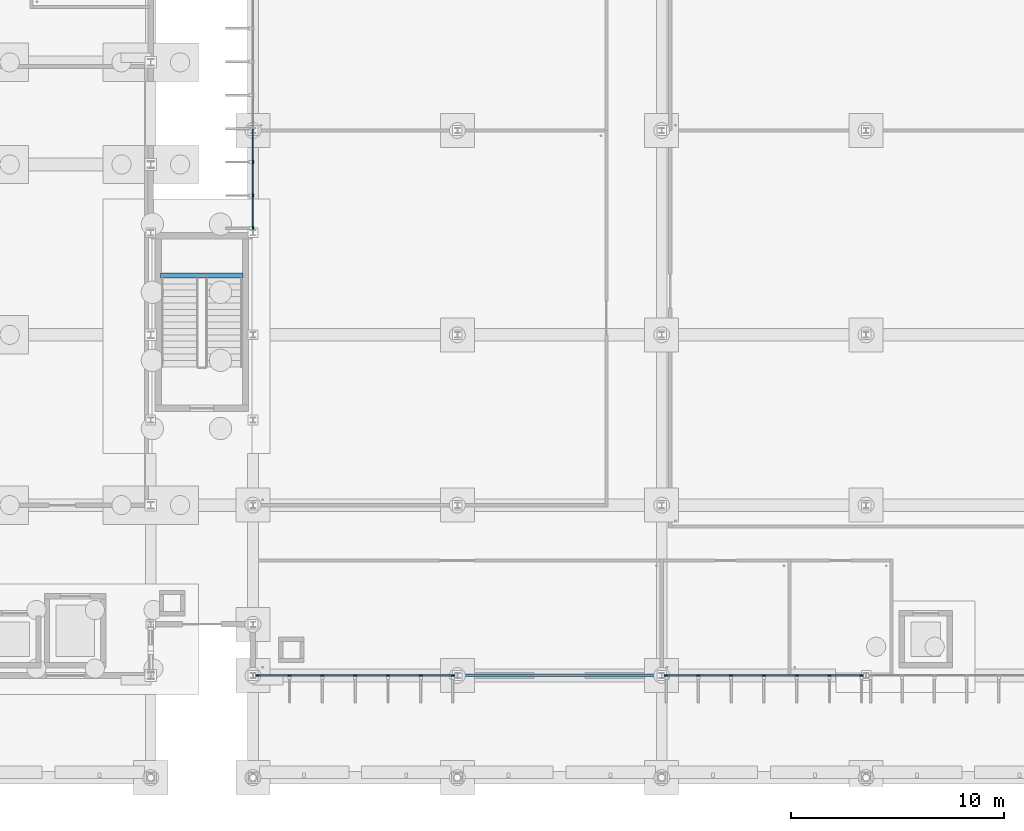
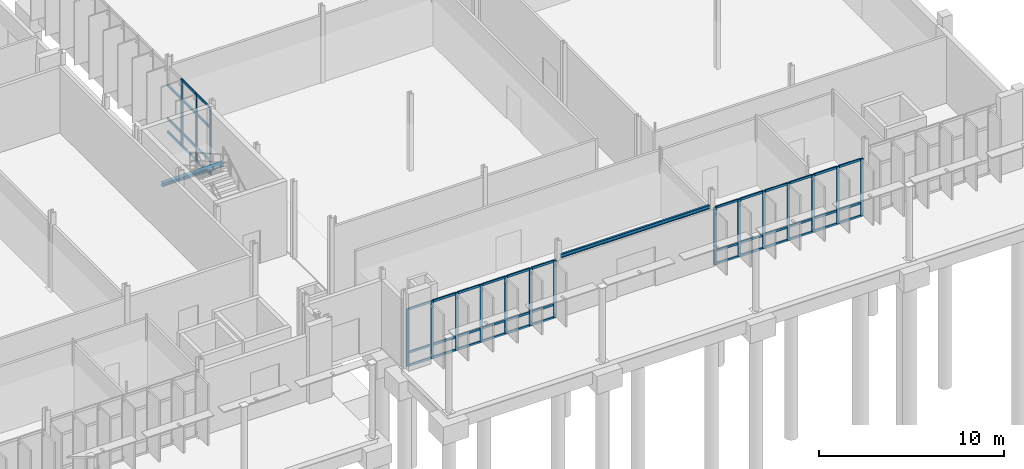
# One storey, part 36 of 111: 64 members, 2 beams, 3 elements without a shape of their own.
"""IFC4 building model written with IfcOpenShell, lengths in metres."""

import ifcopenshell
import ifcopenshell.guid

model = None  # the IFC model being written
_history = None  # IfcOwnerHistory: only IFC2X3 demands one
_inside = {}  # id of a spatial element -> (the spatial element, [elements in it])
_under = {}  # id of a project, library or spatial element -> (it, [spatial elements below it])
_declared = {}  # id of a project -> (the project, [libraries it declares])
_typed = {}  # id of a type object -> (the type object, [elements of that type])
_made_of = {}  # id of a material, layer set ... -> (it, [elements and type objects made of it])


def new_model(schema):
    """Start an empty IFC model of exactly this schema.

    Asked for "IFC4X3", IfcOpenShell would pick the latest addendum, in which some entities
    have other attributes; the version numbers below select the first issue.
    IFC2X3 requires an IfcOwnerHistory on every rooted entity: one is made here for all.
    """
    global model, _history
    if schema == "IFC4X3":
        model = ifcopenshell.file(schema_version=(4, 3, 0, 0))
    else:
        model = ifcopenshell.file(schema=schema)
    _inside.clear()
    _under.clear()
    _declared.clear()
    _typed.clear()
    _made_of.clear()
    _history = None
    if model.schema == "IFC2X3":
        org = make("IfcOrganization", Name="unknown")
        user = make(
            "IfcPersonAndOrganization",
            ThePerson=make("IfcPerson", FamilyName="unknown"),
            TheOrganization=org,
        )
        app = make(
            "IfcApplication",
            ApplicationDeveloper=org,
            Version="unknown",
            ApplicationFullName="unknown",
            ApplicationIdentifier="unknown",
        )
        _history = make(
            "IfcOwnerHistory",
            OwningUser=user,
            OwningApplication=app,
            ChangeAction="ADDED",
            CreationDate=0,
        )
    return model


def make(cls, **values):
    """One entity of the class cls with the attributes given. An attribute that is None is left unset."""
    return model.create_entity(
        cls, **{name: value for name, value in values.items() if value is not None}
    )


def rooted(cls, **values):
    """An entity with a GlobalId (a new one), such as an element, a storey or a relation."""
    return make(cls, GlobalId=ifcopenshell.guid.new(), OwnerHistory=_history, **values)


def si_unit(unit_type, name, prefix=None):
    """IfcSIUnit, for example si_unit("LENGTHUNIT", "METRE", prefix="MILLI")."""
    return make("IfcSIUnit", UnitType=unit_type, Prefix=prefix, Name=name)


def assignment(units):
    """IfcUnitAssignment: the units of a project."""
    return None if units is None else make("IfcUnitAssignment", Units=units)


def point(xyz):
    """IfcCartesianPoint."""
    return None if xyz is None else make("IfcCartesianPoint", Coordinates=xyz)


def direction(xyz):
    """IfcDirection."""
    return None if xyz is None else make("IfcDirection", DirectionRatios=xyz)


def frame(location, z_axis=None, x_axis=None):
    """IfcAxis2Placement3D, a coordinate frame: its origin and axes. An axis left out is left unset."""
    return make(
        "IfcAxis2Placement3D",
        Location=point(location),
        Axis=direction(z_axis),
        RefDirection=direction(x_axis),
    )


def frame_2d(location, x_axis=None):
    """IfcAxis2Placement2D, a coordinate frame in the plane: its origin and x axis."""
    return make(
        "IfcAxis2Placement2D", Location=point(location), RefDirection=direction(x_axis)
    )


def origin():
    """The frame at (0, 0, 0) with its axes left unset."""
    return frame((0.0, 0.0, 0.0))


def origin_2d():
    """The frame at (0, 0) in the plane with its x axis left unset."""
    return frame_2d((0.0, 0.0))


def place(relative_to, where):
    """IfcLocalPlacement: puts the frame where relative to a parent placement (None: the world)."""
    return make(
        "IfcLocalPlacement", PlacementRelTo=relative_to, RelativePlacement=where
    )


def context(
    kind, dimensions, precision=None, world=None, true_north=None, identifier=None
):
    """IfcGeometricRepresentationContext, for example the 3D "Model" context."""
    return make(
        "IfcGeometricRepresentationContext",
        ContextIdentifier=identifier,
        ContextType=kind,
        CoordinateSpaceDimension=dimensions,
        Precision=precision,
        WorldCoordinateSystem=world,
        TrueNorth=true_north,
    )


def subcontext(parent, identifier, kind, view, scale=None):
    """IfcGeometricRepresentationSubContext, for example "Body" below "Model"."""
    return make(
        "IfcGeometricRepresentationSubContext",
        ContextIdentifier=identifier,
        ContextType=kind,
        ParentContext=parent,
        TargetScale=scale,
        TargetView=view,
    )


def project(units=None, contexts=None):
    """IfcProject with its units and contexts."""
    return rooted(
        "IfcProject",
        Name="project",
        RepresentationContexts=contexts,
        UnitsInContext=assignment(units),
    )


def spatial(cls, under=None, at=None, **own):
    """A site, building, storey or space (cls), placed at a placement, below another one or the project."""
    s = rooted(cls, ObjectPlacement=at, **own)
    if under is not None:
        _under.setdefault(under.id(), (under, []))[1].append(s)
    return s


def profile(cls, at=None, kind="AREA", **sizes):
    """A parametric profile (cls). Its sizes go by their IFC names, for example OverallWidth=200.0."""
    return make(cls, ProfileType=kind, Position=at, **sizes)


def rectangle(**sizes):
    """IfcRectangleProfileDef."""
    return profile("IfcRectangleProfileDef", **sizes)


def i_section(**sizes):
    """IfcIShapeProfileDef."""
    return profile("IfcIShapeProfileDef", **sizes)


def extrude(swept, where, along, depth):
    """IfcExtrudedAreaSolid: the profile swept, set in the frame where, extruded along a direction by depth."""
    return make(
        "IfcExtrudedAreaSolid",
        SweptArea=swept,
        Position=where,
        ExtrudedDirection=direction(along),
        Depth=depth,
    )


def shape(context_of_items, identifier, shape_type, items):
    """IfcShapeRepresentation: the items that make up one representation, for example the "Body"."""
    return make(
        "IfcShapeRepresentation",
        ContextOfItems=context_of_items,
        RepresentationIdentifier=identifier,
        RepresentationType=shape_type,
        Items=items,
    )


def material(Name=None, Category=None):
    """IfcMaterial."""
    return make("IfcMaterial", Name=Name, Category=Category)


def material_profile(
    of_material, cross_section, Name=None, Category=None, Priority=None
):
    """IfcMaterialProfile: a cross section and its material."""
    return make(
        "IfcMaterialProfile",
        Name=Name,
        Material=of_material,
        Profile=cross_section,
        Priority=Priority,
        Category=Category,
    )


def profile_set(profiles, Name=None, composite=None):
    """IfcMaterialProfileSet."""
    return make(
        "IfcMaterialProfileSet",
        Name=Name,
        MaterialProfiles=profiles,
        CompositeProfile=composite,
    )


def made_of(thing, what):
    """Note that an element or type object is made of a material, layer set ...; save() writes the relation."""
    if what is not None:
        _made_of.setdefault(what.id(), (what, []))[1].append(thing)
    return thing


def type_object(cls, material=None, **own):
    """A type object (cls), such as IfcWallType, which elements share."""
    return made_of(rooted(cls, **own), material)


def element(
    cls,
    number,
    at=None,
    inside=None,
    cuts=None,
    type_object=None,
    material=None,
    context=None,
    identifier="Body",
    shape_type=None,
    held_by="IfcProductDefinitionShape",
    body=None,
    shapes=None,
    **own,
):
    """One element of the class cls, such as IfcWall. Its Tag is "e" and its number.

    at: its placement. inside: the storey or other place that contains it. cuts: it is an
    opening in that element (IfcRelVoidsElement). A single representation is given by context,
    identifier, shape_type and body (its items); several are given by shapes. held_by: the class
    of the entity that holds the representations. save() writes the other relations.
    """
    e = rooted(cls, Tag="e%d" % number, ObjectPlacement=at, **own)
    if body is not None:
        shapes = [shape(context, identifier, shape_type, body)]
    if shapes is not None:
        e.Representation = make(held_by, Representations=shapes)
    if inside is not None:
        _inside.setdefault(inside.id(), (inside, []))[1].append(e)
    if cuts is not None:
        rooted(
            "IfcRelVoidsElement", RelatingBuildingElement=cuts, RelatedOpeningElement=e
        )
    if type_object is not None:
        _typed.setdefault(type_object.id(), (type_object, []))[1].append(e)
    return made_of(e, material)


def aggregate(whole, parts):
    """IfcRelAggregates: a whole, such as a stair, and the parts it consists of."""
    return rooted("IfcRelAggregates", RelatingObject=whole, RelatedObjects=parts)


def save(model, path):
    """Write the relations noted so far, then the file.

    IfcRelAggregates (storeys below a building ...), IfcRelContainedInSpatialStructure (elements
    in a storey), IfcRelDefinesByType, IfcRelAssociatesMaterial and IfcRelDeclares: one each for
    every whole, place, type object, material and project.
    """
    for whole, parts in _under.values():
        aggregate(whole, parts)
    for where, things in _inside.values():
        rooted(
            "IfcRelContainedInSpatialStructure",
            RelatedElements=things,
            RelatingStructure=where,
        )
    for kind, things in _typed.values():
        rooted("IfcRelDefinesByType", RelatedObjects=things, RelatingType=kind)
    for what, things in _made_of.values():
        rooted("IfcRelAssociatesMaterial", RelatedObjects=things, RelatingMaterial=what)
    for by, libraries in _declared.values():
        rooted("IfcRelDeclares", RelatingContext=by, RelatedDefinitions=libraries)
    model.write(path)


model = new_model("IFC4")

# Units and contexts
model_context = context("Model", 3, precision=1e-05, world=origin(), true_north=direction((0.0, 1.0)))
body_context = subcontext(model_context, "Body", "Model", "MODEL_VIEW")
ifc_project = project(units=[si_unit("LENGTHUNIT", "METRE"), si_unit("AREAUNIT", "SQUARE_METRE"), si_unit("VOLUMEUNIT", "CUBIC_METRE"), si_unit("PLANEANGLEUNIT", "RADIAN"), si_unit("MASSUNIT", "GRAM", prefix="KILO")], contexts=[model_context])

# Site, building, storey
site_placement = place(None, origin())
site = spatial("IfcSite", under=ifc_project, at=site_placement, CompositionType="ELEMENT")
building_placement = place(site_placement, origin())
building = spatial("IfcBuilding", under=site, at=building_placement, Name="Dunescarp Central Library", CompositionType="ELEMENT")
storey_placement = place(building_placement, origin())
storey = spatial("IfcBuildingStorey", under=building, at=storey_placement, Name="L00", CompositionType="ELEMENT", Elevation=0.0)

# Curtain wall, members
ifc_material_1 = material(Name="Marine-grade anodised aluminium 6063-T6", Category="aluminium")
curtain_wall_type = type_object("IfcCurtainWallType", Name="ARC-CW-STICK", PredefinedType="NOTDEFINED", material=ifc_material_1)
curtain_wall_1_placement = place(storey_placement, origin())
curtain_wall_1 = element("IfcCurtainWall", 1, at=curtain_wall_1_placement, inside=storey, type_object=curtain_wall_type, Name="L00 curtain wall CW-V5-146", PredefinedType="NOTDEFINED")
ifc_material_profile_1 = material_profile(ifc_material_1, rectangle(XDim=0.080078125, YDim=0.179931640625, at=origin_2d()), Name="AL 80x180")
ifc_profile_set_1 = profile_set([ifc_material_profile_1], Name="Marine-grade anodised aluminium 6063-T6")
member_type_1 = type_object("IfcMemberType", Name="ARC-CWM-180", PredefinedType="MULLION", material=ifc_profile_set_1)
member_1_placement = place(storey_placement, frame((138.985107421875, 4.800048828125, 0.0), z_axis=(0.0, 0.0, 1.0), x_axis=(0.0, -1.0, 0.0)))
member_1 = element("IfcMember", 2, at=member_1_placement, type_object=member_type_1, Name="CW-V5-146 mullion 1", PredefinedType="MULLION", context=body_context, shape_type="SweptSolid", body=[
    extrude(rectangle(XDim=0.080078125, YDim=0.179931640625, at=origin_2d()), origin(), (0.0, 0.0, 1.0), 3.804931640625),
])
member_2_placement = place(storey_placement, frame((137.4833984375, 4.800048828125, 0.0), z_axis=(0.0, 0.0, 1.0), x_axis=(0.0, -1.0, 0.0)))
member_2 = element("IfcMember", 3, at=member_2_placement, type_object=member_type_1, Name="CW-V5-146 mullion 2", PredefinedType="MULLION", context=body_context, shape_type="SweptSolid", body=[
    extrude(rectangle(XDim=0.080078125, YDim=0.179931640625, at=origin_2d()), origin(), (0.0, 0.0, 1.0), 3.804931640625),
])
member_3_placement = place(storey_placement, frame((135.941650390625, 4.800048828125, 0.0), z_axis=(0.0, 0.0, 1.0), x_axis=(0.0, -1.0, 0.0)))
member_3 = element("IfcMember", 4, at=member_3_placement, type_object=member_type_1, Name="CW-V5-146 mullion 3", PredefinedType="MULLION", context=body_context, shape_type="SweptSolid", body=[
    extrude(rectangle(XDim=0.080078125, YDim=0.179931640625, at=origin_2d()), origin(), (0.0, 0.0, 1.0), 3.804931640625),
])
member_4_placement = place(storey_placement, frame((134.39990234375, 4.800048828125, 0.0), z_axis=(0.0, 0.0, 1.0), x_axis=(0.0, -1.0, 0.0)))
member_4 = element("IfcMember", 5, at=member_4_placement, type_object=member_type_1, Name="CW-V5-146 mullion 4", PredefinedType="MULLION", context=body_context, shape_type="SweptSolid", body=[
    extrude(rectangle(XDim=0.080078125, YDim=0.179931640625, at=origin_2d()), origin(), (0.0, 0.0, 1.0), 3.804931640625),
])
member_5_placement = place(storey_placement, frame((132.8583984375, 4.800048828125, 0.0), z_axis=(0.0, 0.0, 1.0), x_axis=(0.0, -1.0, 0.0)))
member_5 = element("IfcMember", 6, at=member_5_placement, type_object=member_type_1, Name="CW-V5-146 mullion 5", PredefinedType="MULLION", context=body_context, shape_type="SweptSolid", body=[
    extrude(rectangle(XDim=0.080078125, YDim=0.179931640625, at=origin_2d()), origin(), (0.0, 0.0, 1.0), 3.804931640625),
])
member_6_placement = place(storey_placement, frame((131.316650390625, 4.800048828125, 0.0), z_axis=(0.0, 0.0, 1.0), x_axis=(0.0, -1.0, 0.0)))
member_6 = element("IfcMember", 7, at=member_6_placement, type_object=member_type_1, Name="CW-V5-146 mullion 6", PredefinedType="MULLION", context=body_context, shape_type="SweptSolid", body=[
    extrude(rectangle(XDim=0.080078125, YDim=0.179931640625, at=origin_2d()), origin(), (0.0, 0.0, 1.0), 3.804931640625),
])
member_7_placement = place(storey_placement, frame((129.81494140625, 4.800048828125, 0.0), z_axis=(0.0, 0.0, 1.0), x_axis=(0.0, -1.0, 0.0)))
member_7 = element("IfcMember", 8, at=member_7_placement, type_object=member_type_1, Name="CW-V5-146 mullion 7", PredefinedType="MULLION", context=body_context, shape_type="SweptSolid", body=[
    extrude(rectangle(XDim=0.080078125, YDim=0.179931640625, at=origin_2d()), origin(), (0.0, 0.0, 1.0), 3.804931640625),
])

curtain_wall_2_placement = place(storey_placement, origin())
curtain_wall_2 = element("IfcCurtainWall", 9, at=curtain_wall_2_placement, inside=storey, type_object=curtain_wall_type, Name="L00 curtain wall CW-V5-147", PredefinedType="NOTDEFINED")
member_8_placement = place(storey_placement, frame((158.18505859375, 4.800048828125, 0.0), z_axis=(0.0, 0.0, 1.0), x_axis=(0.0, -1.0, 0.0)))
member_8 = element("IfcMember", 10, at=member_8_placement, type_object=member_type_1, Name="CW-V5-147 mullion 1", PredefinedType="MULLION", context=body_context, shape_type="SweptSolid", body=[
    extrude(rectangle(XDim=0.080078125, YDim=0.179931640625, at=origin_2d()), origin(), (0.0, 0.0, 1.0), 3.804931640625),
])
member_9_placement = place(storey_placement, frame((156.683349609375, 4.800048828125, 0.0), z_axis=(0.0, 0.0, 1.0), x_axis=(0.0, -1.0, 0.0)))
member_9 = element("IfcMember", 11, at=member_9_placement, type_object=member_type_1, Name="CW-V5-147 mullion 2", PredefinedType="MULLION", context=body_context, shape_type="SweptSolid", body=[
    extrude(rectangle(XDim=0.080078125, YDim=0.179931640625, at=origin_2d()), origin(), (0.0, 0.0, 1.0), 3.804931640625),
])
member_10_placement = place(storey_placement, frame((155.1416015625, 4.800048828125, 0.0), z_axis=(0.0, 0.0, 1.0), x_axis=(0.0, -1.0, 0.0)))
member_10 = element("IfcMember", 12, at=member_10_placement, type_object=member_type_1, Name="CW-V5-147 mullion 3", PredefinedType="MULLION", context=body_context, shape_type="SweptSolid", body=[
    extrude(rectangle(XDim=0.080078125, YDim=0.179931640625, at=origin_2d()), origin(), (0.0, 0.0, 1.0), 3.804931640625),
])
member_11_placement = place(storey_placement, frame((153.60009765625, 4.800048828125, 0.0), z_axis=(0.0, 0.0, 1.0), x_axis=(0.0, -1.0, 0.0)))
member_11 = element("IfcMember", 13, at=member_11_placement, type_object=member_type_1, Name="CW-V5-147 mullion 4", PredefinedType="MULLION", context=body_context, shape_type="SweptSolid", body=[
    extrude(rectangle(XDim=0.080078125, YDim=0.179931640625, at=origin_2d()), origin(), (0.0, 0.0, 1.0), 3.804931640625),
])
member_12_placement = place(storey_placement, frame((152.058349609375, 4.800048828125, 0.0), z_axis=(0.0, 0.0, 1.0), x_axis=(0.0, -1.0, 0.0)))
member_12 = element("IfcMember", 14, at=member_12_placement, type_object=member_type_1, Name="CW-V5-147 mullion 5", PredefinedType="MULLION", context=body_context, shape_type="SweptSolid", body=[
    extrude(rectangle(XDim=0.080078125, YDim=0.179931640625, at=origin_2d()), origin(), (0.0, 0.0, 1.0), 3.804931640625),
])
member_13_placement = place(storey_placement, frame((150.5166015625, 4.800048828125, 0.0), z_axis=(0.0, 0.0, 1.0), x_axis=(0.0, -1.0, 0.0)))
member_13 = element("IfcMember", 15, at=member_13_placement, type_object=member_type_1, Name="CW-V5-147 mullion 6", PredefinedType="MULLION", context=body_context, shape_type="SweptSolid", body=[
    extrude(rectangle(XDim=0.080078125, YDim=0.179931640625, at=origin_2d()), origin(), (0.0, 0.0, 1.0), 3.804931640625),
])
member_14_placement = place(storey_placement, frame((149.014892578125, 4.800048828125, 0.0), z_axis=(0.0, 0.0, 1.0), x_axis=(0.0, -1.0, 0.0)))
member_14 = element("IfcMember", 16, at=member_14_placement, type_object=member_type_1, Name="CW-V5-147 mullion 7", PredefinedType="MULLION", context=body_context, shape_type="SweptSolid", body=[
    extrude(rectangle(XDim=0.080078125, YDim=0.179931640625, at=origin_2d()), origin(), (0.0, 0.0, 1.0), 3.804931640625),
])

curtain_wall_3_placement = place(storey_placement, origin())
curtain_wall_3 = element("IfcCurtainWall", 17, at=curtain_wall_3_placement, inside=storey, type_object=curtain_wall_type, Name="L00 curtain wall CW-V5-152", PredefinedType="NOTDEFINED")
member_15_placement = place(storey_placement, frame((129.60009765625, 25.81494140625, 0.0), z_axis=(0.0, 0.0, 1.0), x_axis=(-1.0, 0.0, 0.0)))
member_15 = element("IfcMember", 18, at=member_15_placement, type_object=member_type_1, Name="CW-V5-152 mullion 1", PredefinedType="MULLION", context=body_context, shape_type="SweptSolid", body=[
    extrude(rectangle(XDim=0.080078125, YDim=0.179931640625, at=origin_2d()), origin(), (0.0, 0.0, 1.0), 4.44189453125),
])
member_16_placement = place(storey_placement, frame((129.60009765625, 27.345947265625, 0.0), z_axis=(0.0, 0.0, 1.0), x_axis=(-1.0, 0.0, 0.0)))
member_16 = element("IfcMember", 19, at=member_16_placement, type_object=member_type_1, Name="CW-V5-152 mullion 2", PredefinedType="MULLION", context=body_context, shape_type="SweptSolid", body=[
    extrude(rectangle(XDim=0.080078125, YDim=0.179931640625, at=origin_2d()), origin(), (0.0, 0.0, 1.0), 4.44189453125),
])
member_17_placement = place(storey_placement, frame((129.60009765625, 28.916748046875, 0.0), z_axis=(0.0, 0.0, 1.0), x_axis=(-1.0, 0.0, 0.0)))
member_17 = element("IfcMember", 20, at=member_17_placement, type_object=member_type_1, Name="CW-V5-152 mullion 3", PredefinedType="MULLION", context=body_context, shape_type="SweptSolid", body=[
    extrude(rectangle(XDim=0.080078125, YDim=0.179931640625, at=origin_2d()), origin(), (0.0, 0.0, 1.0), 4.44189453125),
])

# Member
ifc_material_profile_2 = material_profile(ifc_material_1, rectangle(XDim=0.080078125, YDim=0.14990234375, at=origin_2d()), Name="AL 80x150")
ifc_profile_set_2 = profile_set([ifc_material_profile_2], Name="Marine-grade anodised aluminium 6063-T6")
member_type_2 = type_object("IfcMemberType", Name="ARC-CWT-150", PredefinedType="USERDEFINED", material=ifc_profile_set_2)
member_18_placement = place(storey_placement, frame((138.945068359375, 4.800048828125, 0.0400390625), z_axis=(-1.0, 0.0, 0.0), x_axis=(0.0, -1.0, 0.0)))
member_18 = element("IfcMember", 21, at=member_18_placement, type_object=member_type_2, Name="CW-V5-146 transom 1.1", ObjectType="TRANSOM", PredefinedType="USERDEFINED", context=body_context, shape_type="SweptSolid", body=[
    extrude(rectangle(XDim=0.080078125, YDim=0.14990234375, at=origin_2d()), origin(), (0.0, 0.0, 1.0), 1.421630859375),
])

member_19_placement = place(storey_placement, frame((138.945068359375, 4.800048828125, 0.89990234375), z_axis=(-1.0, 0.0, 0.0), x_axis=(0.0, -1.0, 0.0)))
member_19 = element("IfcMember", 22, at=member_19_placement, type_object=member_type_2, Name="CW-V5-146 transom 1.2", ObjectType="TRANSOM", PredefinedType="USERDEFINED", context=body_context, shape_type="SweptSolid", body=[
    extrude(rectangle(XDim=0.080078125, YDim=0.14990234375, at=origin_2d()), origin(), (0.0, 0.0, 1.0), 1.421630859375),
])

member_20_placement = place(storey_placement, frame((138.945068359375, 4.800048828125, 3.764892578125), z_axis=(-1.0, 0.0, 0.0), x_axis=(0.0, -1.0, 0.0)))
member_20 = element("IfcMember", 23, at=member_20_placement, type_object=member_type_2, Name="CW-V5-146 transom 1.3", ObjectType="TRANSOM", PredefinedType="USERDEFINED", context=body_context, shape_type="SweptSolid", body=[
    extrude(rectangle(XDim=0.080078125, YDim=0.14990234375, at=origin_2d()), origin(), (0.0, 0.0, 1.0), 1.421630859375),
])

member_21_placement = place(storey_placement, frame((137.443359375, 4.800048828125, 0.0400390625), z_axis=(-1.0, 0.0, 0.0), x_axis=(0.0, -1.0, 0.0)))
member_21 = element("IfcMember", 24, at=member_21_placement, type_object=member_type_2, Name="CW-V5-146 transom 2.1", ObjectType="TRANSOM", PredefinedType="USERDEFINED", context=body_context, shape_type="SweptSolid", body=[
    extrude(rectangle(XDim=0.080078125, YDim=0.14990234375, at=origin_2d()), origin(), (0.0, 0.0, 1.0), 1.461669921875),
])

member_22_placement = place(storey_placement, frame((137.443359375, 4.800048828125, 0.89990234375), z_axis=(-1.0, 0.0, 0.0), x_axis=(0.0, -1.0, 0.0)))
member_22 = element("IfcMember", 25, at=member_22_placement, type_object=member_type_2, Name="CW-V5-146 transom 2.2", ObjectType="TRANSOM", PredefinedType="USERDEFINED", context=body_context, shape_type="SweptSolid", body=[
    extrude(rectangle(XDim=0.080078125, YDim=0.14990234375, at=origin_2d()), origin(), (0.0, 0.0, 1.0), 1.461669921875),
])

member_23_placement = place(storey_placement, frame((137.443359375, 4.800048828125, 3.764892578125), z_axis=(-1.0, 0.0, 0.0), x_axis=(0.0, -1.0, 0.0)))
member_23 = element("IfcMember", 26, at=member_23_placement, type_object=member_type_2, Name="CW-V5-146 transom 2.3", ObjectType="TRANSOM", PredefinedType="USERDEFINED", context=body_context, shape_type="SweptSolid", body=[
    extrude(rectangle(XDim=0.080078125, YDim=0.14990234375, at=origin_2d()), origin(), (0.0, 0.0, 1.0), 1.461669921875),
])

member_24_placement = place(storey_placement, frame((135.901611328125, 4.800048828125, 0.0400390625), z_axis=(-1.0, 0.0, 0.0), x_axis=(0.0, -1.0, 0.0)))
member_24 = element("IfcMember", 27, at=member_24_placement, type_object=member_type_2, Name="CW-V5-146 transom 3.1", ObjectType="TRANSOM", PredefinedType="USERDEFINED", context=body_context, shape_type="SweptSolid", body=[
    extrude(rectangle(XDim=0.080078125, YDim=0.14990234375, at=origin_2d()), origin(), (0.0, 0.0, 1.0), 1.461669921875),
])

member_25_placement = place(storey_placement, frame((135.901611328125, 4.800048828125, 0.89990234375), z_axis=(-1.0, 0.0, 0.0), x_axis=(0.0, -1.0, 0.0)))
member_25 = element("IfcMember", 28, at=member_25_placement, type_object=member_type_2, Name="CW-V5-146 transom 3.2", ObjectType="TRANSOM", PredefinedType="USERDEFINED", context=body_context, shape_type="SweptSolid", body=[
    extrude(rectangle(XDim=0.080078125, YDim=0.14990234375, at=origin_2d()), origin(), (0.0, 0.0, 1.0), 1.461669921875),
])

member_26_placement = place(storey_placement, frame((135.901611328125, 4.800048828125, 3.764892578125), z_axis=(-1.0, 0.0, 0.0), x_axis=(0.0, -1.0, 0.0)))
member_26 = element("IfcMember", 29, at=member_26_placement, type_object=member_type_2, Name="CW-V5-146 transom 3.3", ObjectType="TRANSOM", PredefinedType="USERDEFINED", context=body_context, shape_type="SweptSolid", body=[
    extrude(rectangle(XDim=0.080078125, YDim=0.14990234375, at=origin_2d()), origin(), (0.0, 0.0, 1.0), 1.461669921875),
])

member_27_placement = place(storey_placement, frame((134.360107421875, 4.800048828125, 0.0400390625), z_axis=(-1.0, 0.0, 0.0), x_axis=(0.0, -1.0, 0.0)))
member_27 = element("IfcMember", 30, at=member_27_placement, type_object=member_type_2, Name="CW-V5-146 transom 4.1", ObjectType="TRANSOM", PredefinedType="USERDEFINED", context=body_context, shape_type="SweptSolid", body=[
    extrude(rectangle(XDim=0.080078125, YDim=0.14990234375, at=origin_2d()), origin(), (0.0, 0.0, 1.0), 1.461669921875),
])

member_28_placement = place(storey_placement, frame((134.360107421875, 4.800048828125, 0.89990234375), z_axis=(-1.0, 0.0, 0.0), x_axis=(0.0, -1.0, 0.0)))
member_28 = element("IfcMember", 31, at=member_28_placement, type_object=member_type_2, Name="CW-V5-146 transom 4.2", ObjectType="TRANSOM", PredefinedType="USERDEFINED", context=body_context, shape_type="SweptSolid", body=[
    extrude(rectangle(XDim=0.080078125, YDim=0.14990234375, at=origin_2d()), origin(), (0.0, 0.0, 1.0), 1.461669921875),
])

member_29_placement = place(storey_placement, frame((134.360107421875, 4.800048828125, 3.764892578125), z_axis=(-1.0, 0.0, 0.0), x_axis=(0.0, -1.0, 0.0)))
member_29 = element("IfcMember", 32, at=member_29_placement, type_object=member_type_2, Name="CW-V5-146 transom 4.3", ObjectType="TRANSOM", PredefinedType="USERDEFINED", context=body_context, shape_type="SweptSolid", body=[
    extrude(rectangle(XDim=0.080078125, YDim=0.14990234375, at=origin_2d()), origin(), (0.0, 0.0, 1.0), 1.461669921875),
])

member_30_placement = place(storey_placement, frame((132.818359375, 4.800048828125, 0.0400390625), z_axis=(-1.0, 0.0, 0.0), x_axis=(0.0, -1.0, 0.0)))
member_30 = element("IfcMember", 33, at=member_30_placement, type_object=member_type_2, Name="CW-V5-146 transom 5.1", ObjectType="TRANSOM", PredefinedType="USERDEFINED", context=body_context, shape_type="SweptSolid", body=[
    extrude(rectangle(XDim=0.080078125, YDim=0.14990234375, at=origin_2d()), origin(), (0.0, 0.0, 1.0), 1.461669921875),
])

member_31_placement = place(storey_placement, frame((132.818359375, 4.800048828125, 0.89990234375), z_axis=(-1.0, 0.0, 0.0), x_axis=(0.0, -1.0, 0.0)))
member_31 = element("IfcMember", 34, at=member_31_placement, type_object=member_type_2, Name="CW-V5-146 transom 5.2", ObjectType="TRANSOM", PredefinedType="USERDEFINED", context=body_context, shape_type="SweptSolid", body=[
    extrude(rectangle(XDim=0.080078125, YDim=0.14990234375, at=origin_2d()), origin(), (0.0, 0.0, 1.0), 1.461669921875),
])

member_32_placement = place(storey_placement, frame((132.818359375, 4.800048828125, 3.764892578125), z_axis=(-1.0, 0.0, 0.0), x_axis=(0.0, -1.0, 0.0)))
member_32 = element("IfcMember", 35, at=member_32_placement, type_object=member_type_2, Name="CW-V5-146 transom 5.3", ObjectType="TRANSOM", PredefinedType="USERDEFINED", context=body_context, shape_type="SweptSolid", body=[
    extrude(rectangle(XDim=0.080078125, YDim=0.14990234375, at=origin_2d()), origin(), (0.0, 0.0, 1.0), 1.461669921875),
])

member_33_placement = place(storey_placement, frame((131.276611328125, 4.800048828125, 0.0400390625), z_axis=(-1.0, 0.0, 0.0), x_axis=(0.0, -1.0, 0.0)))
member_33 = element("IfcMember", 36, at=member_33_placement, type_object=member_type_2, Name="CW-V5-146 transom 6.1", ObjectType="TRANSOM", PredefinedType="USERDEFINED", context=body_context, shape_type="SweptSolid", body=[
    extrude(rectangle(XDim=0.080078125, YDim=0.14990234375, at=origin_2d()), origin(), (0.0, 0.0, 1.0), 1.421630859375),
])

member_34_placement = place(storey_placement, frame((131.276611328125, 4.800048828125, 0.89990234375), z_axis=(-1.0, 0.0, 0.0), x_axis=(0.0, -1.0, 0.0)))
member_34 = element("IfcMember", 37, at=member_34_placement, type_object=member_type_2, Name="CW-V5-146 transom 6.2", ObjectType="TRANSOM", PredefinedType="USERDEFINED", context=body_context, shape_type="SweptSolid", body=[
    extrude(rectangle(XDim=0.080078125, YDim=0.14990234375, at=origin_2d()), origin(), (0.0, 0.0, 1.0), 1.421630859375),
])

member_35_placement = place(storey_placement, frame((131.276611328125, 4.800048828125, 3.764892578125), z_axis=(-1.0, 0.0, 0.0), x_axis=(0.0, -1.0, 0.0)))
member_35 = element("IfcMember", 38, at=member_35_placement, type_object=member_type_2, Name="CW-V5-146 transom 6.3", ObjectType="TRANSOM", PredefinedType="USERDEFINED", context=body_context, shape_type="SweptSolid", body=[
    extrude(rectangle(XDim=0.080078125, YDim=0.14990234375, at=origin_2d()), origin(), (0.0, 0.0, 1.0), 1.421630859375),
])

aggregate(curtain_wall_1, [member_1, member_2, member_3, member_4, member_5, member_6, member_7, member_18, member_19, member_20, member_21, member_22, member_23, member_24, member_25, member_26, member_27, member_28, member_29, member_30, member_31, member_32, member_33, member_34, member_35])

member_36_placement = place(storey_placement, frame((158.14501953125, 4.800048828125, 0.0400390625), z_axis=(-1.0, 0.0, 0.0), x_axis=(0.0, -1.0, 0.0)))
member_36 = element("IfcMember", 39, at=member_36_placement, type_object=member_type_2, Name="CW-V5-147 transom 1.1", ObjectType="TRANSOM", PredefinedType="USERDEFINED", context=body_context, shape_type="SweptSolid", body=[
    extrude(rectangle(XDim=0.080078125, YDim=0.14990234375, at=origin_2d()), origin(), (0.0, 0.0, 1.0), 1.421630859375),
])

member_37_placement = place(storey_placement, frame((158.14501953125, 4.800048828125, 0.89990234375), z_axis=(-1.0, 0.0, 0.0), x_axis=(0.0, -1.0, 0.0)))
member_37 = element("IfcMember", 40, at=member_37_placement, type_object=member_type_2, Name="CW-V5-147 transom 1.2", ObjectType="TRANSOM", PredefinedType="USERDEFINED", context=body_context, shape_type="SweptSolid", body=[
    extrude(rectangle(XDim=0.080078125, YDim=0.14990234375, at=origin_2d()), origin(), (0.0, 0.0, 1.0), 1.421630859375),
])

member_38_placement = place(storey_placement, frame((158.14501953125, 4.800048828125, 3.764892578125), z_axis=(-1.0, 0.0, 0.0), x_axis=(0.0, -1.0, 0.0)))
member_38 = element("IfcMember", 41, at=member_38_placement, type_object=member_type_2, Name="CW-V5-147 transom 1.3", ObjectType="TRANSOM", PredefinedType="USERDEFINED", context=body_context, shape_type="SweptSolid", body=[
    extrude(rectangle(XDim=0.080078125, YDim=0.14990234375, at=origin_2d()), origin(), (0.0, 0.0, 1.0), 1.421630859375),
])

member_39_placement = place(storey_placement, frame((156.643310546875, 4.800048828125, 0.0400390625), z_axis=(-1.0, 0.0, 0.0), x_axis=(0.0, -1.0, 0.0)))
member_39 = element("IfcMember", 42, at=member_39_placement, type_object=member_type_2, Name="CW-V5-147 transom 2.1", ObjectType="TRANSOM", PredefinedType="USERDEFINED", context=body_context, shape_type="SweptSolid", body=[
    extrude(rectangle(XDim=0.080078125, YDim=0.14990234375, at=origin_2d()), origin(), (0.0, 0.0, 1.0), 1.461669921875),
])

member_40_placement = place(storey_placement, frame((156.643310546875, 4.800048828125, 0.89990234375), z_axis=(-1.0, 0.0, 0.0), x_axis=(0.0, -1.0, 0.0)))
member_40 = element("IfcMember", 43, at=member_40_placement, type_object=member_type_2, Name="CW-V5-147 transom 2.2", ObjectType="TRANSOM", PredefinedType="USERDEFINED", context=body_context, shape_type="SweptSolid", body=[
    extrude(rectangle(XDim=0.080078125, YDim=0.14990234375, at=origin_2d()), origin(), (0.0, 0.0, 1.0), 1.461669921875),
])

member_41_placement = place(storey_placement, frame((156.643310546875, 4.800048828125, 3.764892578125), z_axis=(-1.0, 0.0, 0.0), x_axis=(0.0, -1.0, 0.0)))
member_41 = element("IfcMember", 44, at=member_41_placement, type_object=member_type_2, Name="CW-V5-147 transom 2.3", ObjectType="TRANSOM", PredefinedType="USERDEFINED", context=body_context, shape_type="SweptSolid", body=[
    extrude(rectangle(XDim=0.080078125, YDim=0.14990234375, at=origin_2d()), origin(), (0.0, 0.0, 1.0), 1.461669921875),
])

member_42_placement = place(storey_placement, frame((155.1015625, 4.800048828125, 0.0400390625), z_axis=(-1.0, 0.0, 0.0), x_axis=(0.0, -1.0, 0.0)))
member_42 = element("IfcMember", 45, at=member_42_placement, type_object=member_type_2, Name="CW-V5-147 transom 3.1", ObjectType="TRANSOM", PredefinedType="USERDEFINED", context=body_context, shape_type="SweptSolid", body=[
    extrude(rectangle(XDim=0.080078125, YDim=0.14990234375, at=origin_2d()), origin(), (0.0, 0.0, 1.0), 1.461669921875),
])

member_43_placement = place(storey_placement, frame((155.1015625, 4.800048828125, 0.89990234375), z_axis=(-1.0, 0.0, 0.0), x_axis=(0.0, -1.0, 0.0)))
member_43 = element("IfcMember", 46, at=member_43_placement, type_object=member_type_2, Name="CW-V5-147 transom 3.2", ObjectType="TRANSOM", PredefinedType="USERDEFINED", context=body_context, shape_type="SweptSolid", body=[
    extrude(rectangle(XDim=0.080078125, YDim=0.14990234375, at=origin_2d()), origin(), (0.0, 0.0, 1.0), 1.461669921875),
])

member_44_placement = place(storey_placement, frame((155.1015625, 4.800048828125, 3.764892578125), z_axis=(-1.0, 0.0, 0.0), x_axis=(0.0, -1.0, 0.0)))
member_44 = element("IfcMember", 47, at=member_44_placement, type_object=member_type_2, Name="CW-V5-147 transom 3.3", ObjectType="TRANSOM", PredefinedType="USERDEFINED", context=body_context, shape_type="SweptSolid", body=[
    extrude(rectangle(XDim=0.080078125, YDim=0.14990234375, at=origin_2d()), origin(), (0.0, 0.0, 1.0), 1.461669921875),
])

member_45_placement = place(storey_placement, frame((153.56005859375, 4.800048828125, 0.0400390625), z_axis=(-1.0, 0.0, 0.0), x_axis=(0.0, -1.0, 0.0)))
member_45 = element("IfcMember", 48, at=member_45_placement, type_object=member_type_2, Name="CW-V5-147 transom 4.1", ObjectType="TRANSOM", PredefinedType="USERDEFINED", context=body_context, shape_type="SweptSolid", body=[
    extrude(rectangle(XDim=0.080078125, YDim=0.14990234375, at=origin_2d()), origin(), (0.0, 0.0, 1.0), 1.461669921875),
])

member_46_placement = place(storey_placement, frame((153.56005859375, 4.800048828125, 0.89990234375), z_axis=(-1.0, 0.0, 0.0), x_axis=(0.0, -1.0, 0.0)))
member_46 = element("IfcMember", 49, at=member_46_placement, type_object=member_type_2, Name="CW-V5-147 transom 4.2", ObjectType="TRANSOM", PredefinedType="USERDEFINED", context=body_context, shape_type="SweptSolid", body=[
    extrude(rectangle(XDim=0.080078125, YDim=0.14990234375, at=origin_2d()), origin(), (0.0, 0.0, 1.0), 1.461669921875),
])

member_47_placement = place(storey_placement, frame((153.56005859375, 4.800048828125, 3.764892578125), z_axis=(-1.0, 0.0, 0.0), x_axis=(0.0, -1.0, 0.0)))
member_47 = element("IfcMember", 50, at=member_47_placement, type_object=member_type_2, Name="CW-V5-147 transom 4.3", ObjectType="TRANSOM", PredefinedType="USERDEFINED", context=body_context, shape_type="SweptSolid", body=[
    extrude(rectangle(XDim=0.080078125, YDim=0.14990234375, at=origin_2d()), origin(), (0.0, 0.0, 1.0), 1.461669921875),
])

member_48_placement = place(storey_placement, frame((152.018310546875, 4.800048828125, 0.0400390625), z_axis=(-1.0, 0.0, 0.0), x_axis=(0.0, -1.0, 0.0)))
member_48 = element("IfcMember", 51, at=member_48_placement, type_object=member_type_2, Name="CW-V5-147 transom 5.1", ObjectType="TRANSOM", PredefinedType="USERDEFINED", context=body_context, shape_type="SweptSolid", body=[
    extrude(rectangle(XDim=0.080078125, YDim=0.14990234375, at=origin_2d()), origin(), (0.0, 0.0, 1.0), 1.461669921875),
])

member_49_placement = place(storey_placement, frame((152.018310546875, 4.800048828125, 0.89990234375), z_axis=(-1.0, 0.0, 0.0), x_axis=(0.0, -1.0, 0.0)))
member_49 = element("IfcMember", 52, at=member_49_placement, type_object=member_type_2, Name="CW-V5-147 transom 5.2", ObjectType="TRANSOM", PredefinedType="USERDEFINED", context=body_context, shape_type="SweptSolid", body=[
    extrude(rectangle(XDim=0.080078125, YDim=0.14990234375, at=origin_2d()), origin(), (0.0, 0.0, 1.0), 1.461669921875),
])

member_50_placement = place(storey_placement, frame((152.018310546875, 4.800048828125, 3.764892578125), z_axis=(-1.0, 0.0, 0.0), x_axis=(0.0, -1.0, 0.0)))
member_50 = element("IfcMember", 53, at=member_50_placement, type_object=member_type_2, Name="CW-V5-147 transom 5.3", ObjectType="TRANSOM", PredefinedType="USERDEFINED", context=body_context, shape_type="SweptSolid", body=[
    extrude(rectangle(XDim=0.080078125, YDim=0.14990234375, at=origin_2d()), origin(), (0.0, 0.0, 1.0), 1.461669921875),
])

member_51_placement = place(storey_placement, frame((150.4765625, 4.800048828125, 0.0400390625), z_axis=(-1.0, 0.0, 0.0), x_axis=(0.0, -1.0, 0.0)))
member_51 = element("IfcMember", 54, at=member_51_placement, type_object=member_type_2, Name="CW-V5-147 transom 6.1", ObjectType="TRANSOM", PredefinedType="USERDEFINED", context=body_context, shape_type="SweptSolid", body=[
    extrude(rectangle(XDim=0.080078125, YDim=0.14990234375, at=origin_2d()), origin(), (0.0, 0.0, 1.0), 1.421630859375),
])

member_52_placement = place(storey_placement, frame((150.4765625, 4.800048828125, 0.89990234375), z_axis=(-1.0, 0.0, 0.0), x_axis=(0.0, -1.0, 0.0)))
member_52 = element("IfcMember", 55, at=member_52_placement, type_object=member_type_2, Name="CW-V5-147 transom 6.2", ObjectType="TRANSOM", PredefinedType="USERDEFINED", context=body_context, shape_type="SweptSolid", body=[
    extrude(rectangle(XDim=0.080078125, YDim=0.14990234375, at=origin_2d()), origin(), (0.0, 0.0, 1.0), 1.421630859375),
])

member_53_placement = place(storey_placement, frame((150.4765625, 4.800048828125, 3.764892578125), z_axis=(-1.0, 0.0, 0.0), x_axis=(0.0, -1.0, 0.0)))
member_53 = element("IfcMember", 56, at=member_53_placement, type_object=member_type_2, Name="CW-V5-147 transom 6.3", ObjectType="TRANSOM", PredefinedType="USERDEFINED", context=body_context, shape_type="SweptSolid", body=[
    extrude(rectangle(XDim=0.080078125, YDim=0.14990234375, at=origin_2d()), origin(), (0.0, 0.0, 1.0), 1.421630859375),
])

aggregate(curtain_wall_2, [member_8, member_9, member_10, member_11, member_12, member_13, member_14, member_36, member_37, member_38, member_39, member_40, member_41, member_42, member_43, member_44, member_45, member_46, member_47, member_48, member_49, member_50, member_51, member_52, member_53])

member_54_placement = place(storey_placement, frame((129.60009765625, 25.85498046875, 0.0400390625), z_axis=(0.0, 1.0, 0.0), x_axis=(-1.0, 0.0, 0.0)))
member_54 = element("IfcMember", 57, at=member_54_placement, type_object=member_type_2, Name="CW-V5-152 transom 1.1", ObjectType="TRANSOM", PredefinedType="USERDEFINED", context=body_context, shape_type="SweptSolid", body=[
    extrude(rectangle(XDim=0.080078125, YDim=0.14990234375, at=origin_2d()), origin(), (0.0, 0.0, 1.0), 1.450927734375),
])

member_55_placement = place(storey_placement, frame((129.60009765625, 25.85498046875, 0.89990234375), z_axis=(0.0, 1.0, 0.0), x_axis=(-1.0, 0.0, 0.0)))
member_55 = element("IfcMember", 58, at=member_55_placement, type_object=member_type_2, Name="CW-V5-152 transom 1.2", ObjectType="TRANSOM", PredefinedType="USERDEFINED", context=body_context, shape_type="SweptSolid", body=[
    extrude(rectangle(XDim=0.080078125, YDim=0.14990234375, at=origin_2d()), origin(), (0.0, 0.0, 1.0), 1.450927734375),
])

member_56_placement = place(storey_placement, frame((129.60009765625, 25.85498046875, 3.10009765625), z_axis=(0.0, 1.0, 0.0), x_axis=(-1.0, 0.0, 0.0)))
member_56 = element("IfcMember", 59, at=member_56_placement, type_object=member_type_2, Name="CW-V5-152 transom 1.3", ObjectType="TRANSOM", PredefinedType="USERDEFINED", context=body_context, shape_type="SweptSolid", body=[
    extrude(rectangle(XDim=0.080078125, YDim=0.14990234375, at=origin_2d()), origin(), (0.0, 0.0, 1.0), 1.450927734375),
])

member_57_placement = place(storey_placement, frame((129.60009765625, 25.85498046875, 4.402099609375), z_axis=(0.0, 1.0, 0.0), x_axis=(-1.0, 0.0, 0.0)))
member_57 = element("IfcMember", 60, at=member_57_placement, type_object=member_type_2, Name="CW-V5-152 transom 1.4", ObjectType="TRANSOM", PredefinedType="USERDEFINED", context=body_context, shape_type="SweptSolid", body=[
    extrude(rectangle(XDim=0.080078125, YDim=0.14990234375, at=origin_2d()), origin(), (0.0, 0.0, 1.0), 1.450927734375),
])

member_58_placement = place(storey_placement, frame((129.60009765625, 27.3857421875, 0.0400390625), z_axis=(0.0, 1.0, 0.0), x_axis=(-1.0, 0.0, 0.0)))
member_58 = element("IfcMember", 61, at=member_58_placement, type_object=member_type_2, Name="CW-V5-152 transom 2.1", ObjectType="TRANSOM", PredefinedType="USERDEFINED", context=body_context, shape_type="SweptSolid", body=[
    extrude(rectangle(XDim=0.080078125, YDim=0.14990234375, at=origin_2d()), origin(), (0.0, 0.0, 1.0), 1.490966796875),
])

member_59_placement = place(storey_placement, frame((129.60009765625, 27.3857421875, 0.89990234375), z_axis=(0.0, 1.0, 0.0), x_axis=(-1.0, 0.0, 0.0)))
member_59 = element("IfcMember", 62, at=member_59_placement, type_object=member_type_2, Name="CW-V5-152 transom 2.2", ObjectType="TRANSOM", PredefinedType="USERDEFINED", context=body_context, shape_type="SweptSolid", body=[
    extrude(rectangle(XDim=0.080078125, YDim=0.14990234375, at=origin_2d()), origin(), (0.0, 0.0, 1.0), 1.490966796875),
])

member_60_placement = place(storey_placement, frame((129.60009765625, 27.3857421875, 3.10009765625), z_axis=(0.0, 1.0, 0.0), x_axis=(-1.0, 0.0, 0.0)))
member_60 = element("IfcMember", 63, at=member_60_placement, type_object=member_type_2, Name="CW-V5-152 transom 2.3", ObjectType="TRANSOM", PredefinedType="USERDEFINED", context=body_context, shape_type="SweptSolid", body=[
    extrude(rectangle(XDim=0.080078125, YDim=0.14990234375, at=origin_2d()), origin(), (0.0, 0.0, 1.0), 1.490966796875),
])

member_61_placement = place(storey_placement, frame((129.60009765625, 27.3857421875, 4.402099609375), z_axis=(0.0, 1.0, 0.0), x_axis=(-1.0, 0.0, 0.0)))
member_61 = element("IfcMember", 64, at=member_61_placement, type_object=member_type_2, Name="CW-V5-152 transom 2.4", ObjectType="TRANSOM", PredefinedType="USERDEFINED", context=body_context, shape_type="SweptSolid", body=[
    extrude(rectangle(XDim=0.080078125, YDim=0.14990234375, at=origin_2d()), origin(), (0.0, 0.0, 1.0), 1.490966796875),
])

member_62_placement = place(storey_placement, frame((129.60009765625, 28.956787109375, 0.0400390625), z_axis=(0.0, 1.0, 0.0), x_axis=(-1.0, 0.0, 0.0)))
member_62 = element("IfcMember", 65, at=member_62_placement, type_object=member_type_2, Name="CW-V5-152 transom 3.1", ObjectType="TRANSOM", PredefinedType="USERDEFINED", context=body_context, shape_type="SweptSolid", body=[
    extrude(rectangle(XDim=0.080078125, YDim=0.14990234375, at=origin_2d()), origin(), (0.0, 0.0, 1.0), 1.49072265625),
])

member_63_placement = place(storey_placement, frame((129.60009765625, 28.956787109375, 0.89990234375), z_axis=(0.0, 1.0, 0.0), x_axis=(-1.0, 0.0, 0.0)))
member_63 = element("IfcMember", 66, at=member_63_placement, type_object=member_type_2, Name="CW-V5-152 transom 3.2", ObjectType="TRANSOM", PredefinedType="USERDEFINED", context=body_context, shape_type="SweptSolid", body=[
    extrude(rectangle(XDim=0.080078125, YDim=0.14990234375, at=origin_2d()), origin(), (0.0, 0.0, 1.0), 1.49072265625),
])

member_64_placement = place(storey_placement, frame((129.60009765625, 28.956787109375, 3.10009765625), z_axis=(0.0, 1.0, 0.0), x_axis=(-1.0, 0.0, 0.0)))
member_64 = element("IfcMember", 67, at=member_64_placement, type_object=member_type_2, Name="CW-V5-152 transom 3.3", ObjectType="TRANSOM", PredefinedType="USERDEFINED", context=body_context, shape_type="SweptSolid", body=[
    extrude(rectangle(XDim=0.080078125, YDim=0.14990234375, at=origin_2d()), origin(), (0.0, 0.0, 1.0), 1.49072265625),
])

aggregate(curtain_wall_3, [member_15, member_16, member_17, member_54, member_55, member_56, member_57, member_58, member_59, member_60, member_61, member_62, member_63, member_64])

# Beams
ifc_material_2 = material(Name="Steel S355JR", Category="steel")
ifc_material_profile_3 = material_profile(ifc_material_2, i_section(OverallWidth=0.239990234375, OverallDepth=0.22998046875, WebThickness=0.007568359375, FlangeThickness=0.011962890625, at=origin_2d()), Name="HEA 240")
ifc_profile_set_3 = profile_set([ifc_material_profile_3], Name="Steel S355JR")
beam_type_1 = type_object("IfcBeamType", Name="STR-JS-HEA240", PredefinedType="JOIST", material=ifc_profile_set_3)
beam_1_placement = place(storey_placement, frame((125.260009765625, 23.580078125, 2.235107421875), z_axis=(1.0, 0.0, 0.0), x_axis=(0.0, 1.0, 0.0)))
element("IfcBeam", 68, at=beam_1_placement, inside=storey, type_object=beam_type_1, Name="L00 ST-5 landing trimmer beam BM-ST-023", PredefinedType="BEAM", context=body_context, shape_type="SweptSolid", body=[
    extrude(i_section(OverallWidth=0.239990234375, OverallDepth=0.22998046875, WebThickness=0.007568359375, FlangeThickness=0.011962890625, at=origin_2d()), origin(), (0.0, 0.0, 1.0), 3.8798828125),
])
ifc_material_profile_4 = material_profile(ifc_material_2, i_section(OverallWidth=0.1201171875, OverallDepth=0.239990234375, WebThickness=0.006103515625, FlangeThickness=0.009765625, at=origin_2d()), Name="IPE 240")
ifc_profile_set_4 = profile_set([ifc_material_profile_4], Name="Steel S355JR")
beam_type_2 = type_object("IfcBeamType", Name="STR-LN-IPE240", PredefinedType="LINTEL", material=ifc_profile_set_4)
beam_2_placement = place(storey_placement, frame((139.321044921875, 4.800048828125, 3.949951171875), z_axis=(1.0, 0.0, 0.0), x_axis=(0.0, 1.0, 0.0)))
element("IfcBeam", 69, at=beam_2_placement, inside=storey, type_object=beam_type_2, Name="L00 structural lintel LN-L00-08", PredefinedType="LINTEL", context=body_context, shape_type="SweptSolid", body=[
    extrude(i_section(OverallWidth=0.1201171875, OverallDepth=0.239990234375, WebThickness=0.006103515625, FlangeThickness=0.009765625, at=origin_2d()), origin(), (0.0, 0.0, 1.0), 9.35791015625),
])

save(model, "model.ifc")
